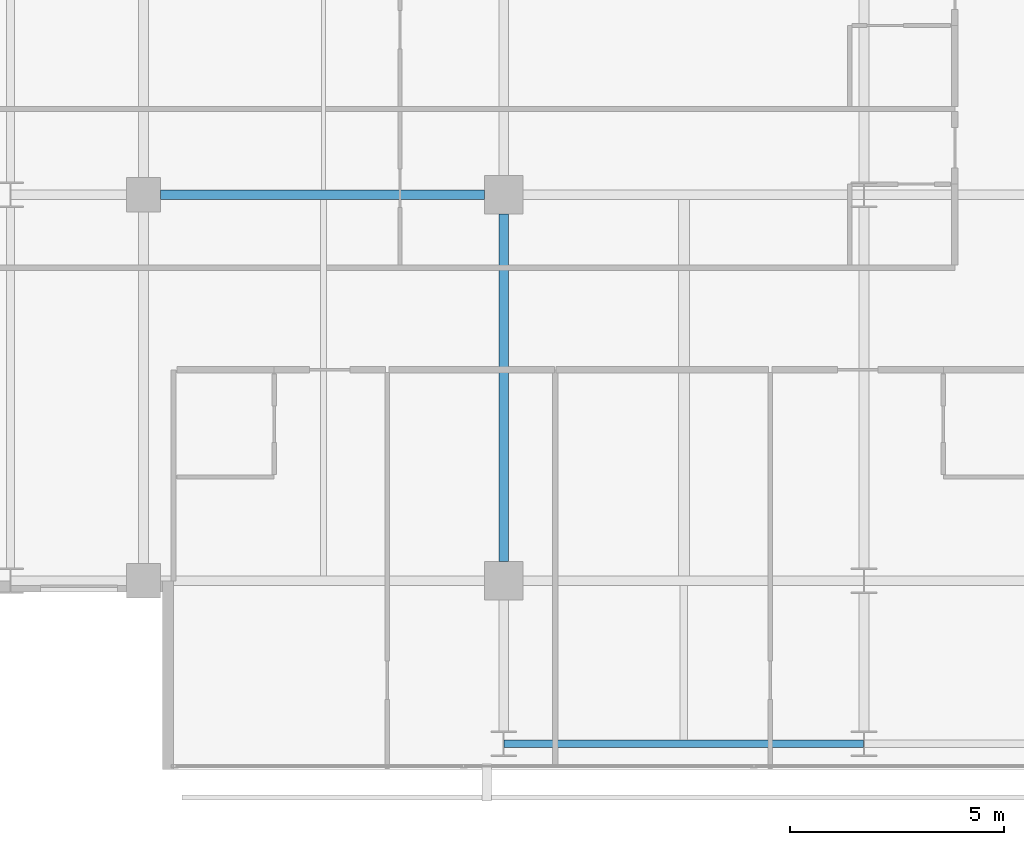
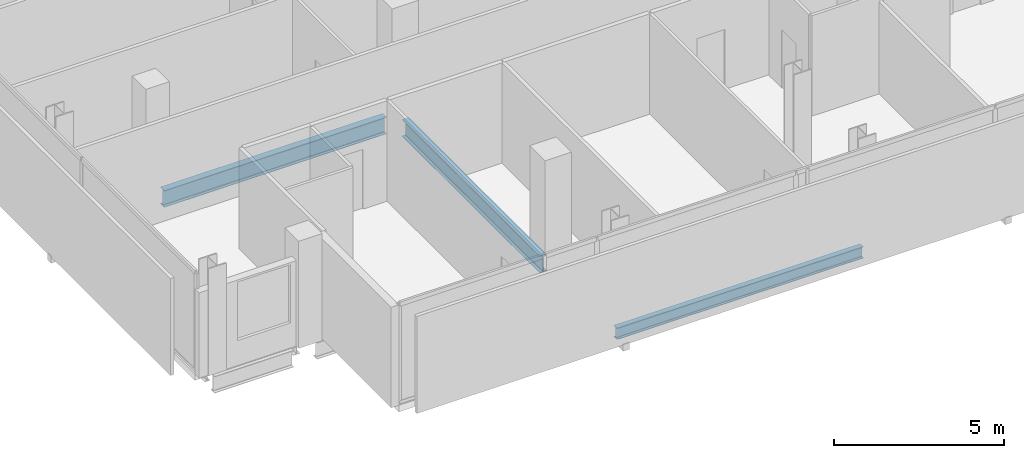
# One storey, part 5 of 34: 3 beams.
"""IFC4 building model written with IfcOpenShell, lengths in metres."""

from ifc_helpers import new_model, si_unit, direction, frame, origin, origin_2d, place, context, subcontext, project, spatial, i_section, extrude, material, material_profile, profile_set, type_object, element, save


model = new_model("IFC4")

# Units and contexts
model_context = context("Model", 3, precision=1e-05, world=origin(), true_north=direction((0.0, 1.0)))
body_context = subcontext(model_context, "Body", "Model", "MODEL_VIEW")
ifc_project = project(units=[si_unit("LENGTHUNIT", "METRE"), si_unit("AREAUNIT", "SQUARE_METRE"), si_unit("VOLUMEUNIT", "CUBIC_METRE"), si_unit("PLANEANGLEUNIT", "RADIAN"), si_unit("MASSUNIT", "GRAM", prefix="KILO")], contexts=[model_context])

# Site, building, storey
site_placement = place(None, origin())
site = spatial("IfcSite", under=ifc_project, at=site_placement, CompositionType="ELEMENT")
building_placement = place(site_placement, origin())
building = spatial("IfcBuilding", under=site, at=building_placement, Name="Maruvema Waterfront Hotel and Observation Tower", CompositionType="ELEMENT")
storey_placement = place(building_placement, frame((0.0, 0.0, 192.85009765625)))
storey = spatial("IfcBuildingStorey", under=building, at=storey_placement, Name="L47", CompositionType="ELEMENT", Elevation=192.85009765625)

# Beams
ifc_material_1 = material(Name="Steel ASTM A572 Grade 50", Category="steel")
ifc_material_profile_1 = material_profile(ifc_material_1, i_section(OverallWidth=0.180908203125, OverallDepth=0.4169921875, WebThickness=0.010986328125, FlangeThickness=0.018310546875, FilletRadius=0.014892578125, at=origin_2d()), Name="W410x85.0")
ifc_profile_set_1 = profile_set([ifc_material_profile_1], Name="Steel ASTM A572 Grade 50")
beam_type_1 = type_object("IfcBeamType", Name="Perimeter Spandrel Beam W410x85.0", PredefinedType="SPANDREL", material=ifc_profile_set_1)
beam_1_placement = place(storey_placement, frame((25.21240234375, 5.199951171875, -0.448486328125), z_axis=(1.0, 0.0, 0.0), x_axis=(0.0, 1.0, 0.0)))
element("IfcBeam", 1, at=beam_1_placement, inside=storey, type_object=beam_type_1, Name="L47 Floor Girder EW-01", PredefinedType="SPANDREL", context=body_context, shape_type="SweptSolid", body=[
    extrude(i_section(OverallWidth=0.180908203125, OverallDepth=0.4169921875, WebThickness=0.010986328125, FlangeThickness=0.018310546875, FilletRadius=0.014892578125, at=origin_2d()), origin(), (0.0, 0.0, 1.0), 8.375),
])
ifc_material_2 = material(Name="Steel ASTM A572 Grade 50", Category="steel")
ifc_material_profile_2 = material_profile(ifc_material_2, i_section(OverallWidth=0.22802734375, OverallDepth=0.60302734375, WebThickness=0.010498046875, FlangeThickness=0.014892578125, FilletRadius=0.01806640625, at=origin_2d()), Name="W610x101.0")
ifc_profile_set_2 = profile_set([ifc_material_profile_2], Name="Steel ASTM A572 Grade 50")
beam_type_2 = type_object("IfcBeamType", Name="Primary Floor Girder W610x101.0", PredefinedType="BEAM", material=ifc_profile_set_2)
beam_2_placement = place(storey_placement, frame((17.199951171875, 18.0, -0.54150390625), z_axis=(1.0, 0.0, 0.0), x_axis=(0.0, 1.0, 0.0)))
element("IfcBeam", 2, at=beam_2_placement, inside=storey, type_object=beam_type_2, Name="L47 Floor Girder EW-12", PredefinedType="BEAM", context=body_context, shape_type="SweptSolid", body=[
    extrude(i_section(OverallWidth=0.22802734375, OverallDepth=0.60302734375, WebThickness=0.010498046875, FlangeThickness=0.014892578125, FilletRadius=0.01806640625, at=origin_2d()), origin(), (0.0, 0.0, 1.0), 7.550048828125),
])
beam_3_placement = place(storey_placement, frame((25.199951171875, 9.449951171875, -0.54150390625), z_axis=(0.0, 1.0, 0.0), x_axis=(-1.0, 0.0, 0.0)))
element("IfcBeam", 3, at=beam_3_placement, inside=storey, type_object=beam_type_2, Name="L47 Floor Girder NS-10", PredefinedType="BEAM", context=body_context, shape_type="SweptSolid", body=[
    extrude(i_section(OverallWidth=0.22802734375, OverallDepth=0.60302734375, WebThickness=0.010498046875, FlangeThickness=0.014892578125, FilletRadius=0.01806640625, at=origin_2d()), origin(), (0.0, 0.0, 1.0), 8.10009765625),
])

save(model, "model.ifc")
